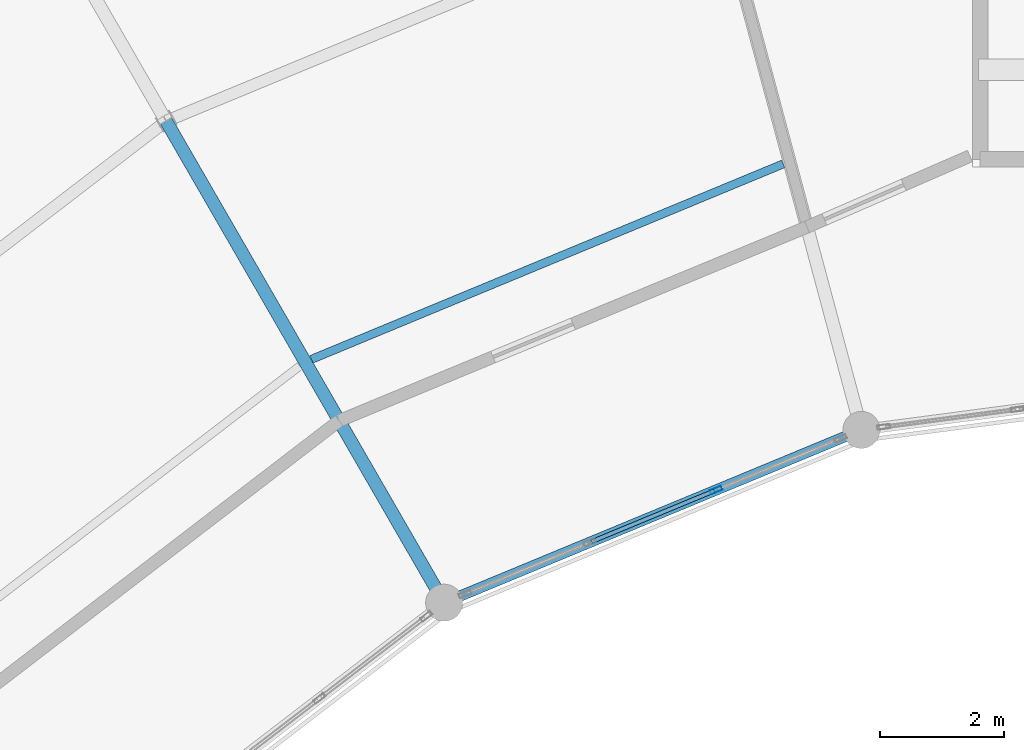
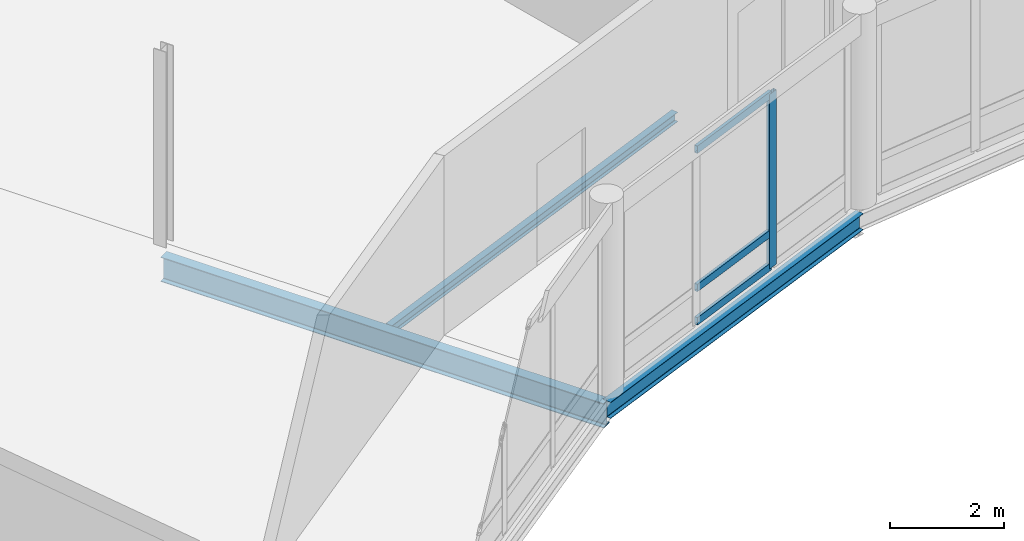
# One storey, part 92 of 200: 4 members, 3 beams, 1 element without a shape of its own.
"""IFC4 building model written with IfcOpenShell, lengths in metres."""

from ifc_helpers import new_model, si_unit, direction, frame, origin, origin_2d, place, context, subcontext, project, spatial, hollow_rectangle, i_section, extrude, material, material_profile, profile_set, type_object, element, aggregate, save


model = new_model("IFC4")

# Units and contexts
model_context = context("Model", 3, precision=1e-05, world=origin(), true_north=direction((0.0, 1.0)))
body_context = subcontext(model_context, "Body", "Model", "MODEL_VIEW")
ifc_project = project(units=[si_unit("LENGTHUNIT", "METRE"), si_unit("AREAUNIT", "SQUARE_METRE"), si_unit("VOLUMEUNIT", "CUBIC_METRE"), si_unit("PLANEANGLEUNIT", "RADIAN"), si_unit("MASSUNIT", "GRAM", prefix="KILO")], contexts=[model_context])

# Site, building, storey
site_placement = place(None, origin())
site = spatial("IfcSite", under=ifc_project, at=site_placement, CompositionType="ELEMENT")
building_placement = place(site_placement, origin())
building = spatial("IfcBuilding", under=site, at=building_placement, Name="Vondelvale Polytechnic", CompositionType="ELEMENT")
storey_placement = place(building_placement, frame((0.0, 0.0, 13.800048828125)))
storey = spatial("IfcBuildingStorey", under=building, at=storey_placement, Name="L03", CompositionType="ELEMENT", Elevation=13.800048828125)

# Beams
ifc_material_1 = material(Name="Steel 300PLUS (fy = 300 MPa)", Category="steel")
ifc_material_profile_1 = material_profile(ifc_material_1, i_section(OverallWidth=0.1708984375, OverallDepth=0.35205078125, WebThickness=0.0068359375, FlangeThickness=0.009765625, FilletRadius=0.011474609375, at=origin_2d()), Name="360UB44.7")
ifc_profile_set_1 = profile_set([ifc_material_profile_1], Name="Steel 300PLUS (fy = 300 MPa)")
beam_type_1 = type_object("IfcBeamType", Name="BM-UB360L", PredefinedType="BEAM", material=ifc_profile_set_1)
beam_1_placement = place(storey_placement, frame((94.753173828125, 99.0458984375, -0.426025390625), z_axis=(-0.923886161226, -0.382667428841, 0.0), x_axis=(0.382667428841, -0.923886161226, 0.0)))
element("IfcBeam", 1, at=beam_1_placement, inside=storey, type_object=beam_type_1, Name="L03 RB B-24", PredefinedType="BEAM", context=body_context, shape_type="SweptSolid", body=[
    extrude(i_section(OverallWidth=0.1708984375, OverallDepth=0.35205078125, WebThickness=0.0068359375, FlangeThickness=0.009765625, FilletRadius=0.011474609375, at=origin_2d()), origin(), (0.0, 0.0, 1.0), 7.3095703125),
])
ifc_material_profile_2 = material_profile(ifc_material_1, i_section(OverallWidth=0.208984375, OverallDepth=0.528076171875, WebThickness=0.009521484375, FlangeThickness=0.01318359375, FilletRadius=0.013916015625, at=origin_2d()), Name="530UB82.0")
ifc_profile_set_2 = profile_set([ifc_material_profile_2], Name="Steel 300PLUS (fy = 300 MPa)")
beam_type_2 = type_object("IfcBeamType", Name="BM-UB530L", PredefinedType="BEAM", material=ifc_profile_set_2)
beam_2_placement = place(storey_placement, frame((88.0, 96.248779296875, -0.51416015625), z_axis=(-0.5000018851, 0.866024315419, 0.0), x_axis=(-0.866024315419, -0.5000018851, 0.0)))
element("IfcBeam", 2, at=beam_2_placement, inside=storey, type_object=beam_type_2, Name="L03 RG B-21", PredefinedType="BEAM", context=body_context, shape_type="SweptSolid", body=[
    extrude(i_section(OverallWidth=0.208984375, OverallDepth=0.528076171875, WebThickness=0.009521484375, FlangeThickness=0.01318359375, FilletRadius=0.013916015625, at=origin_2d()), origin(), (0.0, 0.0, 1.0), 9.0),
])

# Curtain wall, members
ifc_material_2 = material(Name="Anodised extruded aluminium 6063-T6", Category="aluminium")
curtain_wall_type = type_object("IfcCurtainWallType", Name="CW-RING-CLOISTER", PredefinedType="NOTDEFINED", material=ifc_material_2)
curtain_wall_placement = place(storey_placement, origin())
curtain_wall = element("IfcCurtainWall", 3, at=curtain_wall_placement, inside=storey, type_object=curtain_wall_type, Name="L03 architectural curtain wall CW-03-183", PredefinedType="NOTDEFINED")
ifc_material_profile_3 = material_profile(ifc_material_2, hollow_rectangle(XDim=0.070068359375, YDim=0.199951171875, WallThickness=0.00390625, at=origin_2d()), Name="CW-MUL-200x70")
ifc_profile_set_3 = profile_set([ifc_material_profile_3], Name="Anodised extruded aluminium 6063-T6")
member_type_1 = type_object("IfcMemberType", Name="CW-MUL-70x200", PredefinedType="MULLION", material=ifc_profile_set_3)
member_1_placement = place(storey_placement, frame((92.400390625, 98.0712890625, 0.0), z_axis=(0.0, 0.0, 1.0), x_axis=(0.382678531697, -0.923881562419, 0.0)))
member_1 = element("IfcMember", 4, at=member_1_placement, type_object=member_type_1, Name="CW-03-183 mullion 2", PredefinedType="MULLION", context=body_context, shape_type="SweptSolid", body=[
    extrude(hollow_rectangle(XDim=0.070068359375, YDim=0.199951171875, WallThickness=0.00390625, at=origin_2d()), origin(), (0.0, 0.0, 1.0), 3.75),
])
ifc_material_profile_4 = material_profile(ifc_material_2, hollow_rectangle(XDim=0.06494140625, YDim=0.159912109375, WallThickness=0.00341796875, at=origin_2d()), Name="CW-TRN-160x65")
ifc_profile_set_4 = profile_set([ifc_material_profile_4], Name="Anodised extruded aluminium 6063-T6")
member_type_2 = type_object("IfcMemberType", Name="CW-TRN-70x160", PredefinedType="USERDEFINED", material=ifc_profile_set_4)
member_2_placement = place(storey_placement, frame((92.3681640625, 98.05810546875, 0.032470703125), z_axis=(-0.923865730094, -0.382716752649, 0.0), x_axis=(0.382716752649, -0.923865730094, 0.0)))
member_2 = element("IfcMember", 5, at=member_2_placement, type_object=member_type_2, Name="CW-03-183 transom 2.1", ObjectType="TRANSOM", PredefinedType="USERDEFINED", context=body_context, shape_type="SweptSolid", body=[
    extrude(hollow_rectangle(XDim=0.06494140625, YDim=0.159912109375, WallThickness=0.00341796875, at=origin_2d()), origin(), (0.0, 0.0, 1.0), 2.146484375),
])
member_3_placement = place(storey_placement, frame((92.3681640625, 98.05810546875, 0.75), z_axis=(-0.923865730094, -0.382716752649, 0.0), x_axis=(0.382716752649, -0.923865730094, 0.0)))
member_3 = element("IfcMember", 6, at=member_3_placement, type_object=member_type_2, Name="CW-03-183 transom 2.2", ObjectType="TRANSOM", PredefinedType="USERDEFINED", context=body_context, shape_type="SweptSolid", body=[
    extrude(hollow_rectangle(XDim=0.06494140625, YDim=0.159912109375, WallThickness=0.00341796875, at=origin_2d()), origin(), (0.0, 0.0, 1.0), 2.146484375),
])
member_4_placement = place(storey_placement, frame((92.3681640625, 98.05810546875, 3.717529296875), z_axis=(-0.923865730094, -0.382716752649, 0.0), x_axis=(0.382716752649, -0.923865730094, 0.0)))
member_4 = element("IfcMember", 7, at=member_4_placement, type_object=member_type_2, Name="CW-03-183 transom 2.3", ObjectType="TRANSOM", PredefinedType="USERDEFINED", context=body_context, shape_type="SweptSolid", body=[
    extrude(hollow_rectangle(XDim=0.06494140625, YDim=0.159912109375, WallThickness=0.00341796875, at=origin_2d()), origin(), (0.0, 0.0, 1.0), 2.146484375),
])
aggregate(curtain_wall, [member_1, member_2, member_3, member_4])

# Beam
ifc_material_profile_5 = material_profile(ifc_material_1, i_section(OverallWidth=0.133056640625, OverallDepth=0.202880859375, WebThickness=0.005859375, FlangeThickness=0.0078125, FilletRadius=0.0087890625, at=origin_2d()), Name="200UB25.4")
ifc_profile_set_5 = profile_set([ifc_material_profile_5], Name="Steel 300PLUS (fy = 300 MPa)")
beam_type_3 = type_object("IfcBeamType", Name="JST-UB200", PredefinedType="JOIST", material=ifc_profile_set_5)
beam_3_placement = place(storey_placement, frame((93.48681640625, 103.3505859375, -0.3515625), z_axis=(-0.923880733098, -0.38268053388, 0.0), x_axis=(0.38268053388, -0.923880733098, 0.0)))
element("IfcBeam", 8, at=beam_3_placement, inside=storey, type_object=beam_type_3, Name="L03 RJ J-09", PredefinedType="JOIST", context=body_context, shape_type="SweptSolid", body=[
    extrude(i_section(OverallWidth=0.133056640625, OverallDepth=0.202880859375, WebThickness=0.005859375, FlangeThickness=0.0078125, FilletRadius=0.0087890625, at=origin_2d()), origin(), (0.0, 0.0, 1.0), 8.264404296875),
])

save(model, "model.ifc")
